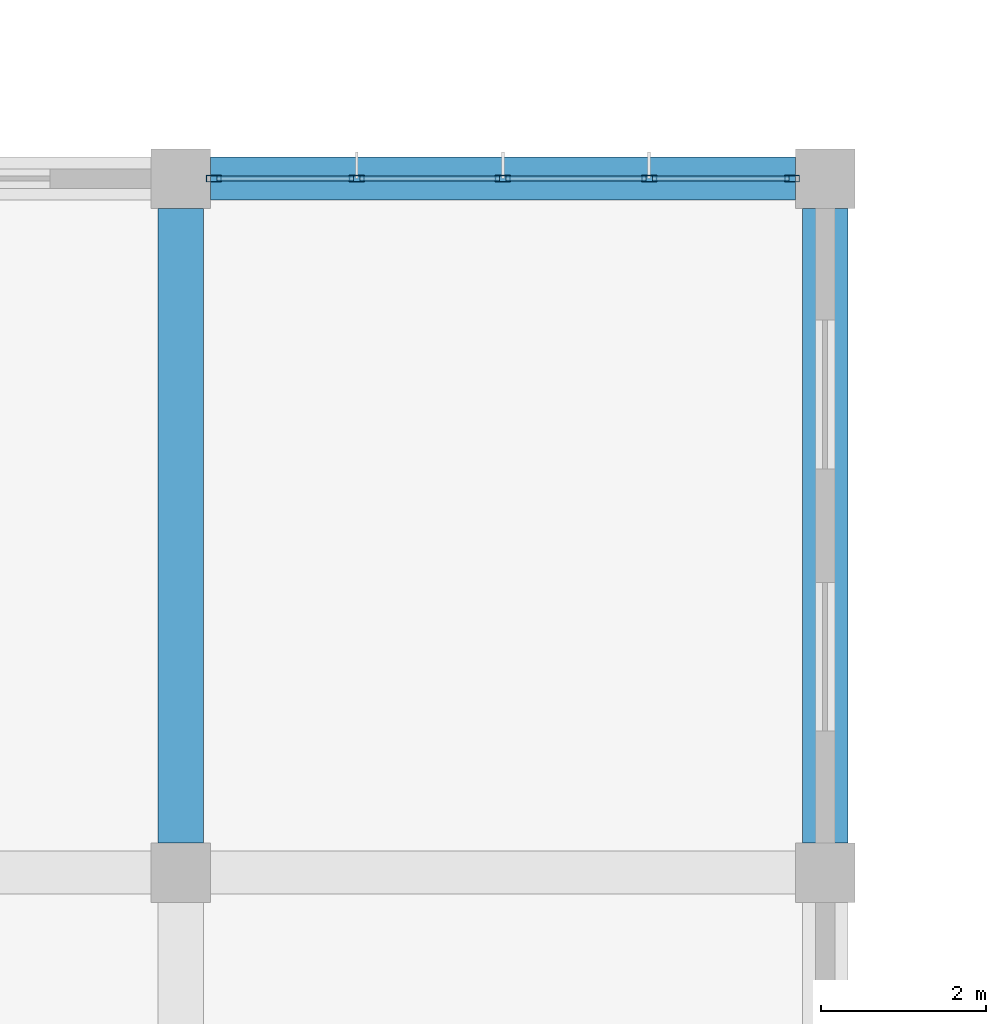
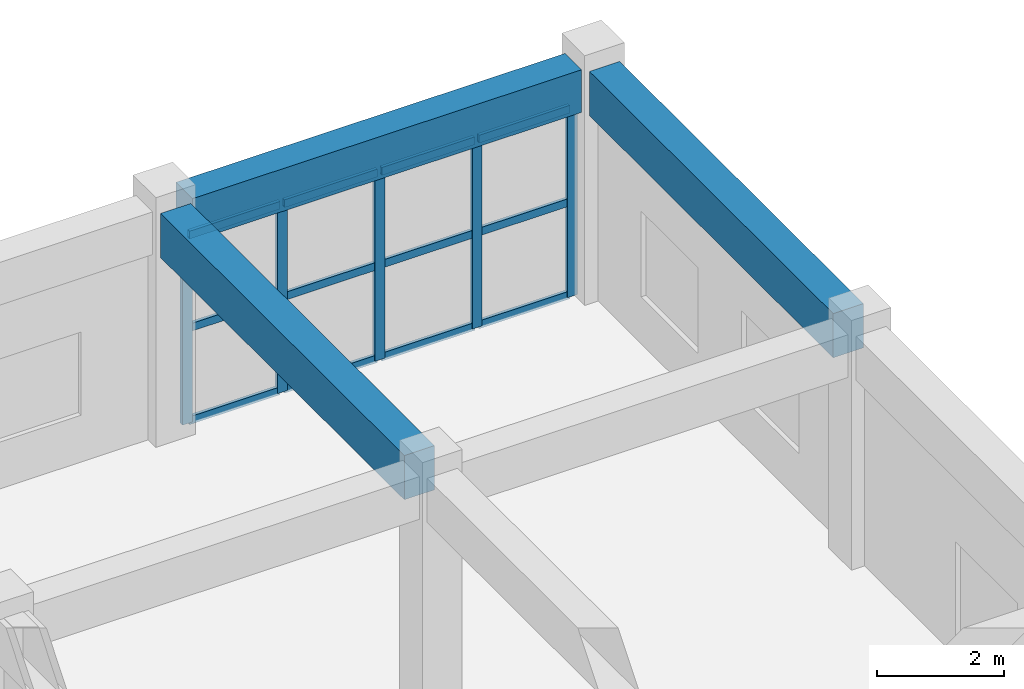
# One storey, part 92 of 139: 17 members, 3 beams, 1 element without a shape of its own.
"""IFC4 building model written with IfcOpenShell, lengths in metres."""

from ifc_helpers import new_model, si_unit, direction, frame, origin, origin_2d, place, context, subcontext, project, spatial, rectangle, hollow_rectangle, extrude, material, layer, layer_set, material_profile, profile_set, type_object, element, aggregate, save


model = new_model("IFC4")

# Units and contexts
model_context = context("Model", 3, precision=1e-05, world=origin(), true_north=direction((0.0, 1.0)))
body_context = subcontext(model_context, "Body", "Model", "MODEL_VIEW")
ifc_project = project(units=[si_unit("LENGTHUNIT", "METRE"), si_unit("AREAUNIT", "SQUARE_METRE"), si_unit("VOLUMEUNIT", "CUBIC_METRE"), si_unit("PLANEANGLEUNIT", "RADIAN"), si_unit("MASSUNIT", "GRAM", prefix="KILO")], contexts=[model_context])

# Site, building, storey
site_placement = place(None, origin())
site = spatial("IfcSite", under=ifc_project, at=site_placement, CompositionType="ELEMENT")
building_placement = place(site_placement, origin())
building = spatial("IfcBuilding", under=site, at=building_placement, Name="Zizhar Promenade General Hospital", CompositionType="ELEMENT")
storey_placement = place(building_placement, origin())
storey = spatial("IfcBuildingStorey", under=building, at=storey_placement, Name="L00", CompositionType="ELEMENT", Elevation=0.0)

# Beams
ifc_material_1 = material(Name="Concrete C35/45", Category="concrete")
ifc_material_profile_1 = material_profile(ifc_material_1, rectangle(XDim=0.52001953125, YDim=0.820068359375, at=origin_2d()))
ifc_profile_set_1 = profile_set([ifc_material_profile_1], Name="Concrete C35/45")
beam_type_1 = type_object("IfcBeamType", Name="BM-RC-520x820", PredefinedType="BEAM", material=ifc_profile_set_1)
beam_placement = place(storey_placement, frame((187.56005859375, 109.199951171875, 4.06005859375), z_axis=(1.0, 0.0, 0.0), x_axis=(0.0, 1.0, 0.0)))
element("IfcBeam", 1, at=beam_placement, inside=storey, type_object=beam_type_1, Name="Grid Beam X L00 (24-13)", PredefinedType="BEAM", context=body_context, shape_type="SweptSolid", body=[
    extrude(rectangle(XDim=0.52001953125, YDim=0.820068359375, at=origin_2d()), origin(), (0.0, 0.0, 1.0), 7.079833984375),
])
ifc_material_2 = material(Name="Concrete C35/45", Category="concrete")
ifc_material_profile_2 = material_profile(ifc_material_2, rectangle(XDim=0.550048828125, YDim=0.85009765625, at=origin_2d()))
ifc_profile_set_2 = profile_set([ifc_material_profile_2], Name="Concrete C35/45")
beam_type_2 = type_object("IfcBeamType", Name="BM-RC-550x850", PredefinedType="BEAM", material=ifc_profile_set_2)
for number, where, z_axis, x_axis, name in (
    (2, (187.199951171875, 101.159912109375, 4.044921875), (0.0, 1.0, 0.0), (-1.0, 0.0, 0.0), "Grid Beam Y L00 (24-12)"),
    (3, (195.0, 101.159912109375, 4.044921875), (0.0, 1.0, 0.0), (-1.0, 0.0, 0.0), "Grid Beam Y L00 (25-12)"),
):
    element("IfcBeam", number, at=place(storey_placement, frame(where, z_axis=z_axis, x_axis=x_axis)), inside=storey, type_object=beam_type_2, Name=name, PredefinedType="BEAM", context=body_context, shape_type="SweptSolid", body=[
        extrude(rectangle(XDim=0.550048828125, YDim=0.85009765625, at=origin_2d()), origin(), (0.0, 0.0, 1.0), 7.68017578125),
    ])

# Curtain wall, members
ifc_material_3 = material(Name="Anodised aluminium 6063-T6 and low-E glass", Category="aluminium")
ifc_layer = layer(ifc_material_3, 0.159912109375)
ifc_layer_set = layer_set([ifc_layer], Name="Anodised aluminium 6063-T6 and low-E glass")
curtain_wall_type = type_object("IfcCurtainWallType", Name="CW-CLN-EXT", PredefinedType="NOTDEFINED", material=ifc_layer_set)
curtain_wall_placement = place(storey_placement, origin())
curtain_wall = element("IfcCurtainWall", 4, at=curtain_wall_placement, inside=storey, type_object=curtain_wall_type, Name="Outpatient North Curtain Wall L00-24", PredefinedType="NOTDEFINED")
ifc_material_4 = material(Name="Anodised aluminium 6063-T6", Category="aluminium")
ifc_material_profile_3 = material_profile(ifc_material_4, hollow_rectangle(XDim=0.080078125, YDim=0.179931640625, WallThickness=0.0048828125, at=origin_2d()))
ifc_profile_set_3 = profile_set([ifc_material_profile_3], Name="Anodised aluminium 6063-T6")
member_type_1 = type_object("IfcMemberType", Name="CWM-ALU-180x80", PredefinedType="MULLION", material=ifc_profile_set_3)
member_1_placement = place(storey_placement, frame((187.60009765625, 109.199951171875, 0.0), z_axis=(0.0, 0.0, 1.0), x_axis=(0.0, 1.0, 0.0)))
member_1 = element("IfcMember", 5, at=member_1_placement, type_object=member_type_1, Name="CW-09 mullion 1", PredefinedType="MULLION", context=body_context, shape_type="SweptSolid", body=[
    extrude(hollow_rectangle(XDim=0.080078125, YDim=0.179931640625, WallThickness=0.0048828125, at=origin_2d()), origin(), (0.0, 0.0, 1.0), 3.6298828125),
])
member_2_placement = place(storey_placement, frame((189.330078125, 109.199951171875, 0.0), z_axis=(0.0, 0.0, 1.0), x_axis=(0.0, 1.0, 0.0)))
member_2 = element("IfcMember", 6, at=member_2_placement, type_object=member_type_1, Name="CW-09 mullion 2", PredefinedType="MULLION", context=body_context, shape_type="SweptSolid", body=[
    extrude(hollow_rectangle(XDim=0.080078125, YDim=0.179931640625, WallThickness=0.0048828125, at=origin_2d()), origin(), (0.0, 0.0, 1.0), 3.6298828125),
])
member_3_placement = place(storey_placement, frame((191.10009765625, 109.199951171875, 0.0), z_axis=(0.0, 0.0, 1.0), x_axis=(0.0, 1.0, 0.0)))
member_3 = element("IfcMember", 7, at=member_3_placement, type_object=member_type_1, Name="CW-09 mullion 3", PredefinedType="MULLION", context=body_context, shape_type="SweptSolid", body=[
    extrude(hollow_rectangle(XDim=0.080078125, YDim=0.179931640625, WallThickness=0.0048828125, at=origin_2d()), origin(), (0.0, 0.0, 1.0), 3.6298828125),
])
member_4_placement = place(storey_placement, frame((192.8701171875, 109.199951171875, 0.0), z_axis=(0.0, 0.0, 1.0), x_axis=(0.0, 1.0, 0.0)))
member_4 = element("IfcMember", 8, at=member_4_placement, type_object=member_type_1, Name="CW-09 mullion 4", PredefinedType="MULLION", context=body_context, shape_type="SweptSolid", body=[
    extrude(hollow_rectangle(XDim=0.080078125, YDim=0.179931640625, WallThickness=0.0048828125, at=origin_2d()), origin(), (0.0, 0.0, 1.0), 3.6298828125),
])
member_5_placement = place(storey_placement, frame((194.60009765625, 109.199951171875, 0.0), z_axis=(0.0, 0.0, 1.0), x_axis=(0.0, 1.0, 0.0)))
member_5 = element("IfcMember", 9, at=member_5_placement, type_object=member_type_1, Name="CW-09 mullion 5", PredefinedType="MULLION", context=body_context, shape_type="SweptSolid", body=[
    extrude(hollow_rectangle(XDim=0.080078125, YDim=0.179931640625, WallThickness=0.0048828125, at=origin_2d()), origin(), (0.0, 0.0, 1.0), 3.6298828125),
])
ifc_material_5 = material(Name="Anodised aluminium 6063-T6", Category="aluminium")
ifc_material_profile_4 = material_profile(ifc_material_5, hollow_rectangle(XDim=0.06005859375, YDim=0.14990234375, WallThickness=0.00390625, at=origin_2d()))
ifc_profile_set_4 = profile_set([ifc_material_profile_4], Name="Anodised aluminium 6063-T6")
member_type_2 = type_object("IfcMemberType", Name="CWT-ALU-150x60", PredefinedType="USERDEFINED", material=ifc_profile_set_4)
member_6_placement = place(storey_placement, frame((187.639892578125, 109.199951171875, 0.030029296875), z_axis=(1.0, 0.0, 0.0), x_axis=(0.0, 1.0, 0.0)))
member_6 = element("IfcMember", 10, at=member_6_placement, type_object=member_type_2, Name="CW-09 transom 1.1", ObjectType="TRANSOM", PredefinedType="USERDEFINED", context=body_context, shape_type="SweptSolid", body=[
    extrude(hollow_rectangle(XDim=0.06005859375, YDim=0.14990234375, WallThickness=0.00390625, at=origin_2d()), origin(), (0.0, 0.0, 1.0), 1.650146484375),
])
member_7_placement = place(storey_placement, frame((187.639892578125, 109.199951171875, 1.81494140625), z_axis=(1.0, 0.0, 0.0), x_axis=(0.0, 1.0, 0.0)))
member_7 = element("IfcMember", 11, at=member_7_placement, type_object=member_type_2, Name="CW-09 transom 1.2", ObjectType="TRANSOM", PredefinedType="USERDEFINED", context=body_context, shape_type="SweptSolid", body=[
    extrude(hollow_rectangle(XDim=0.06005859375, YDim=0.14990234375, WallThickness=0.00390625, at=origin_2d()), origin(), (0.0, 0.0, 1.0), 1.650146484375),
])
member_8_placement = place(storey_placement, frame((187.639892578125, 109.199951171875, 3.60009765625), z_axis=(1.0, 0.0, 0.0), x_axis=(0.0, 1.0, 0.0)))
member_8 = element("IfcMember", 12, at=member_8_placement, type_object=member_type_2, Name="CW-09 transom 1.3", ObjectType="TRANSOM", PredefinedType="USERDEFINED", context=body_context, shape_type="SweptSolid", body=[
    extrude(hollow_rectangle(XDim=0.06005859375, YDim=0.14990234375, WallThickness=0.00390625, at=origin_2d()), origin(), (0.0, 0.0, 1.0), 1.650146484375),
])
member_9_placement = place(storey_placement, frame((189.3701171875, 109.199951171875, 0.030029296875), z_axis=(1.0, 0.0, 0.0), x_axis=(0.0, 1.0, 0.0)))
member_9 = element("IfcMember", 13, at=member_9_placement, type_object=member_type_2, Name="CW-09 transom 2.1", ObjectType="TRANSOM", PredefinedType="USERDEFINED", context=body_context, shape_type="SweptSolid", body=[
    extrude(hollow_rectangle(XDim=0.06005859375, YDim=0.14990234375, WallThickness=0.00390625, at=origin_2d()), origin(), (0.0, 0.0, 1.0), 1.68994140625),
])
member_10_placement = place(storey_placement, frame((189.3701171875, 109.199951171875, 1.81494140625), z_axis=(1.0, 0.0, 0.0), x_axis=(0.0, 1.0, 0.0)))
member_10 = element("IfcMember", 14, at=member_10_placement, type_object=member_type_2, Name="CW-09 transom 2.2", ObjectType="TRANSOM", PredefinedType="USERDEFINED", context=body_context, shape_type="SweptSolid", body=[
    extrude(hollow_rectangle(XDim=0.06005859375, YDim=0.14990234375, WallThickness=0.00390625, at=origin_2d()), origin(), (0.0, 0.0, 1.0), 1.68994140625),
])
member_11_placement = place(storey_placement, frame((189.3701171875, 109.199951171875, 3.60009765625), z_axis=(1.0, 0.0, 0.0), x_axis=(0.0, 1.0, 0.0)))
member_11 = element("IfcMember", 15, at=member_11_placement, type_object=member_type_2, Name="CW-09 transom 2.3", ObjectType="TRANSOM", PredefinedType="USERDEFINED", context=body_context, shape_type="SweptSolid", body=[
    extrude(hollow_rectangle(XDim=0.06005859375, YDim=0.14990234375, WallThickness=0.00390625, at=origin_2d()), origin(), (0.0, 0.0, 1.0), 1.68994140625),
])
member_12_placement = place(storey_placement, frame((191.139892578125, 109.199951171875, 0.030029296875), z_axis=(1.0, 0.0, 0.0), x_axis=(0.0, 1.0, 0.0)))
member_12 = element("IfcMember", 16, at=member_12_placement, type_object=member_type_2, Name="CW-09 transom 3.1", ObjectType="TRANSOM", PredefinedType="USERDEFINED", context=body_context, shape_type="SweptSolid", body=[
    extrude(hollow_rectangle(XDim=0.06005859375, YDim=0.14990234375, WallThickness=0.00390625, at=origin_2d()), origin(), (0.0, 0.0, 1.0), 1.690185546875),
])
member_13_placement = place(storey_placement, frame((191.139892578125, 109.199951171875, 1.81494140625), z_axis=(1.0, 0.0, 0.0), x_axis=(0.0, 1.0, 0.0)))
member_13 = element("IfcMember", 17, at=member_13_placement, type_object=member_type_2, Name="CW-09 transom 3.2", ObjectType="TRANSOM", PredefinedType="USERDEFINED", context=body_context, shape_type="SweptSolid", body=[
    extrude(hollow_rectangle(XDim=0.06005859375, YDim=0.14990234375, WallThickness=0.00390625, at=origin_2d()), origin(), (0.0, 0.0, 1.0), 1.690185546875),
])
member_14_placement = place(storey_placement, frame((191.139892578125, 109.199951171875, 3.60009765625), z_axis=(1.0, 0.0, 0.0), x_axis=(0.0, 1.0, 0.0)))
member_14 = element("IfcMember", 18, at=member_14_placement, type_object=member_type_2, Name="CW-09 transom 3.3", ObjectType="TRANSOM", PredefinedType="USERDEFINED", context=body_context, shape_type="SweptSolid", body=[
    extrude(hollow_rectangle(XDim=0.06005859375, YDim=0.14990234375, WallThickness=0.00390625, at=origin_2d()), origin(), (0.0, 0.0, 1.0), 1.690185546875),
])
member_15_placement = place(storey_placement, frame((192.909912109375, 109.199951171875, 0.030029296875), z_axis=(1.0, 0.0, 0.0), x_axis=(0.0, 1.0, 0.0)))
member_15 = element("IfcMember", 19, at=member_15_placement, type_object=member_type_2, Name="CW-09 transom 4.1", ObjectType="TRANSOM", PredefinedType="USERDEFINED", context=body_context, shape_type="SweptSolid", body=[
    extrude(hollow_rectangle(XDim=0.06005859375, YDim=0.14990234375, WallThickness=0.00390625, at=origin_2d()), origin(), (0.0, 0.0, 1.0), 1.650146484375),
])
member_16_placement = place(storey_placement, frame((192.909912109375, 109.199951171875, 1.81494140625), z_axis=(1.0, 0.0, 0.0), x_axis=(0.0, 1.0, 0.0)))
member_16 = element("IfcMember", 20, at=member_16_placement, type_object=member_type_2, Name="CW-09 transom 4.2", ObjectType="TRANSOM", PredefinedType="USERDEFINED", context=body_context, shape_type="SweptSolid", body=[
    extrude(hollow_rectangle(XDim=0.06005859375, YDim=0.14990234375, WallThickness=0.00390625, at=origin_2d()), origin(), (0.0, 0.0, 1.0), 1.650146484375),
])
member_17_placement = place(storey_placement, frame((192.909912109375, 109.199951171875, 3.60009765625), z_axis=(1.0, 0.0, 0.0), x_axis=(0.0, 1.0, 0.0)))
member_17 = element("IfcMember", 21, at=member_17_placement, type_object=member_type_2, Name="CW-09 transom 4.3", ObjectType="TRANSOM", PredefinedType="USERDEFINED", context=body_context, shape_type="SweptSolid", body=[
    extrude(hollow_rectangle(XDim=0.06005859375, YDim=0.14990234375, WallThickness=0.00390625, at=origin_2d()), origin(), (0.0, 0.0, 1.0), 1.650146484375),
])
aggregate(curtain_wall, [member_1, member_2, member_3, member_4, member_5, member_6, member_7, member_8, member_9, member_10, member_11, member_12, member_13, member_14, member_15, member_16, member_17])

save(model, "model.ifc")
